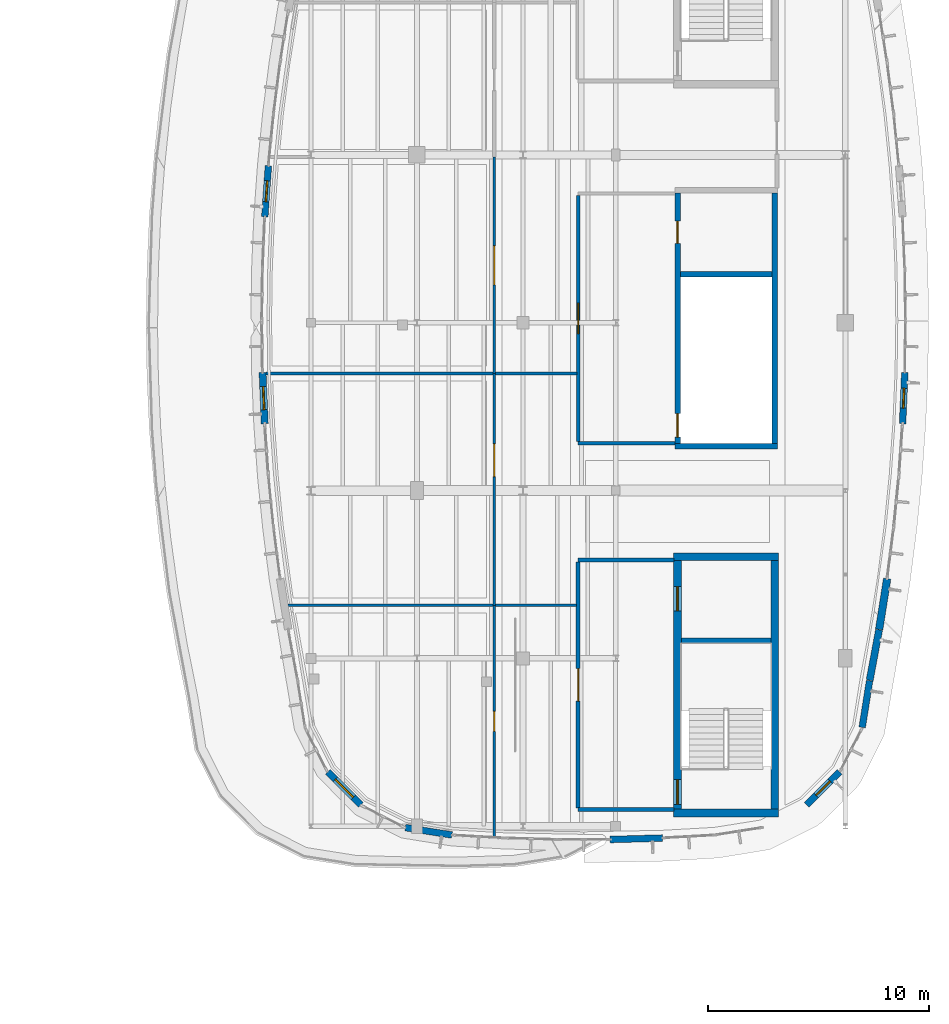
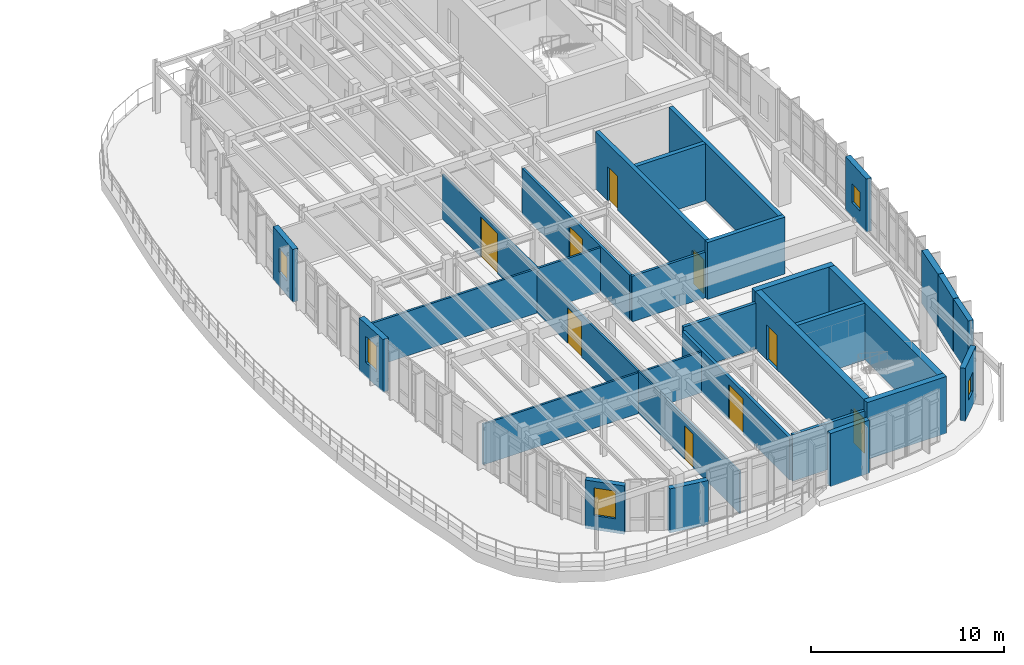
# One storey, part 23 of 30: 29 walls, 9 doors, 5 windows, 14 openings.
"""IFC4 building model written with IfcOpenShell, lengths in metres."""

from ifc_helpers import new_model, si_unit, direction, frame, frame_2d, origin, place, context, subcontext, project, spatial, rectangle, extrude, material, layer, layer_set, type_object, element, fill, save


model = new_model("IFC4")

# Units and contexts
model_context = context("Model", 3, precision=1e-05, world=origin(), true_north=direction((0.0, 1.0)))
body_context = subcontext(model_context, "Body", "Model", "MODEL_VIEW")
ifc_project = project(units=[si_unit("LENGTHUNIT", "METRE"), si_unit("AREAUNIT", "SQUARE_METRE"), si_unit("VOLUMEUNIT", "CUBIC_METRE"), si_unit("PLANEANGLEUNIT", "RADIAN"), si_unit("MASSUNIT", "GRAM", prefix="KILO")], contexts=[model_context])

# Site, building, storey
site_placement = place(None, origin())
site = spatial("IfcSite", under=ifc_project, at=site_placement, CompositionType="ELEMENT")
building_placement = place(site_placement, origin())
building = spatial("IfcBuilding", under=site, at=building_placement, Name="Corveleigh Park Community Centre", CompositionType="ELEMENT")
storey_placement = place(building_placement, frame((0.0, 0.0, 12.60009765625)))
storey = spatial("IfcBuildingStorey", under=building, at=storey_placement, Name="L03", CompositionType="ELEMENT", Elevation=12.60009765625)

# Wall
ifc_material_1 = material(Name="Precast concrete C40/50", Category="concrete")
ifc_layer_1 = layer(ifc_material_1, 0.300048828125, Name="Precast concrete C40/50", Category="concrete")
ifc_layer_set_1 = layer_set([ifc_layer_1], Name="Precast concrete C40/50")
wall_type_1 = type_object("IfcWallType", Name="WL-EXT-300", PredefinedType="STANDARD", material=ifc_layer_set_1)
wall_1_placement = place(storey_placement, frame((160.113037109375, 58.06494140625, 0.0), z_axis=(0.0, 0.0, 1.0), x_axis=(-0.999587779094, -0.028710135612, 0.0)))
element("IfcWall", 1, at=wall_1_placement, inside=storey, type_object=wall_type_1, Name="V4 L03 Precast Facade Wall", PredefinedType="STANDARD", context=body_context, shape_type="SweptSolid", body=[
    extrude(rectangle(XDim=2.364013671875, YDim=0.300048828125, at=frame_2d((1.18212890625, 0.0))), origin(), (0.0, 0.0, 1.0), 3.35693359375),
])

# Wall, opening, window
wall_2_placement = place(storey_placement, frame((168.135986328125, 61.05908203125, 0.0), z_axis=(0.0, 0.0, 1.0), x_axis=(-0.707049041687, -0.707164515971, 0.0)))
wall_2 = element("IfcWall", 2, at=wall_2_placement, inside=storey, type_object=wall_type_1, Name="V4 L03 Precast Facade Wall", PredefinedType="STANDARD", context=body_context, shape_type="SweptSolid", body=[
    extrude(rectangle(XDim=2.1142578125, YDim=0.300048828125, at=frame_2d((1.05712890625, 0.0))), origin(), (0.0, 0.0, 1.0), 3.35693359375),
])
opening_1_placement = place(wall_2_placement, frame((0.60693359375, 0.0, 0.89990234375)))
opening_1 = element("IfcOpeningElement", 3, at=opening_1_placement, cuts=wall_2, Name="Opening W01", PredefinedType="OPENING", context=body_context, shape_type="SweptSolid", body=[
    extrude(rectangle(XDim=0.89990234375, YDim=1.199951171875, at=frame_2d((0.449951171875, 0.60009765625))), frame((0.0, 0.159912109375, 0.0), z_axis=(0.0, -1.0, 0.0), x_axis=(1.0, 0.0, 0.0)), (0.0, 0.0, 1.0), 0.320068359375),
])
ifc_material_2 = material(Name="Low-E double glazing", Category="glass")
window_type_1 = type_object("IfcWindowType", Name="WIN-EXT-0900x1200", PartitioningType="SINGLE_PANEL", PredefinedType="WINDOW", material=ifc_material_2)
window_1_placement = place(opening_1_placement, origin())
window_1 = element("IfcWindow", 4, at=window_1_placement, inside=storey, type_object=window_type_1, Name="V4 L03 Window 70", OverallHeight=1.199951171875, OverallWidth=0.89990234375, PartitioningType="SINGLE_PANEL", PredefinedType="WINDOW", context=body_context, shape_type="SweptSolid", body=[
    extrude(rectangle(XDim=0.89990234375, YDim=1.199951171875, at=frame_2d((0.449951171875, 0.60009765625))), frame((0.0, 0.030029296875, 0.0), z_axis=(0.0, -1.0, 0.0), x_axis=(1.0, 0.0, 0.0)), (0.0, 0.0, 1.0), 0.06005859375),
])
fill(opening_1, window_1)

# Wall
wall_3_placement = place(storey_placement, frame((169.4990234375, 65.19091796875, 0.0), z_axis=(0.0, 0.0, 1.0), x_axis=(-0.156799301967, -0.987630487026, 0.0)))
element("IfcWall", 5, at=wall_3_placement, inside=storey, type_object=wall_type_1, Name="V4 L03 Precast Facade Wall", PredefinedType="STANDARD", context=body_context, shape_type="SweptSolid", body=[
    extrude(rectangle(XDim=2.142578125, YDim=0.300048828125, at=frame_2d((1.0712890625, 0.0))), origin(), (0.0, 0.0, 1.0), 3.35693359375),
])

# Wall, opening, window
wall_4_placement = place(storey_placement, frame((171.092041015625, 79.14697265625, 0.0), z_axis=(0.0, 0.0, 1.0), x_axis=(-0.043049910497, -0.999072922867, 0.0)))
wall_4 = element("IfcWall", 6, at=wall_4_placement, inside=storey, type_object=wall_type_1, Name="V4 L03 Precast Facade Wall", PredefinedType="STANDARD", context=body_context, shape_type="SweptSolid", body=[
    extrude(rectangle(XDim=2.3251953125, YDim=0.300048828125, at=frame_2d((1.16259765625, 0.0))), origin(), (0.0, 0.0, 1.0), 3.35693359375),
])
opening_2_placement = place(wall_4_placement, frame((0.712890625, 0.0, 0.89990234375)))
opening_2 = element("IfcOpeningElement", 7, at=opening_2_placement, cuts=wall_4, Name="Opening W01", PredefinedType="OPENING", context=body_context, shape_type="SweptSolid", body=[
    extrude(rectangle(XDim=0.89990234375, YDim=1.199951171875, at=frame_2d((0.449951171875, 0.60009765625))), frame((0.0, 0.159912109375, 0.0), z_axis=(0.0, -1.0, 0.0), x_axis=(1.0, 0.0, 0.0)), (0.0, 0.0, 1.0), 0.320068359375),
])
window_2_placement = place(opening_2_placement, origin())
window_2 = element("IfcWindow", 8, at=window_2_placement, inside=storey, type_object=window_type_1, Name="V4 L03 Window 71", OverallHeight=1.199951171875, OverallWidth=0.89990234375, PartitioningType="SINGLE_PANEL", PredefinedType="WINDOW", context=body_context, shape_type="SweptSolid", body=[
    extrude(rectangle(XDim=0.89990234375, YDim=1.199951171875, at=frame_2d((0.449951171875, 0.60009765625))), frame((0.0, 0.030029296875, 0.0), z_axis=(0.0, -1.0, 0.0), x_axis=(1.0, 0.0, 0.0)), (0.0, 0.0, 1.0), 0.06005859375),
])
fill(opening_2, window_2)

wall_5_placement = place(storey_placement, frame((142.10888671875, 86.194091796875, 0.0), z_axis=(0.0, 0.0, 1.0), x_axis=(0.070545752689, 0.997508544714, 0.0)))
wall_5 = element("IfcWall", 9, at=wall_5_placement, inside=storey, type_object=wall_type_1, Name="V4 L03 Precast Facade Wall", PredefinedType="STANDARD", context=body_context, shape_type="SweptSolid", body=[
    extrude(rectangle(XDim=2.32568359375, YDim=0.300048828125, at=frame_2d((1.162841796875, 0.0))), origin(), (0.0, 0.0, 1.0), 3.3369140625),
])
opening_3_placement = place(wall_5_placement, frame((0.68798828125, 0.0, 0.89990234375)))
opening_3 = element("IfcOpeningElement", 10, at=opening_3_placement, cuts=wall_5, Name="Opening W02", PredefinedType="OPENING", context=body_context, shape_type="SweptSolid", body=[
    extrude(rectangle(XDim=0.949951171875, YDim=1.5, at=frame_2d((0.47509765625, 0.75))), frame((0.0, 0.159912109375, 0.0), z_axis=(0.0, -1.0, 0.0), x_axis=(1.0, 0.0, 0.0)), (0.0, 0.0, 1.0), 0.320068359375),
])
window_type_2 = type_object("IfcWindowType", Name="WIN-EXT-0950x1500", PartitioningType="SINGLE_PANEL", PredefinedType="WINDOW", material=ifc_material_2)
window_3_placement = place(opening_3_placement, origin())
window_3 = element("IfcWindow", 11, at=window_3_placement, inside=storey, type_object=window_type_2, Name="V4 L03 Window 74", OverallHeight=1.5, OverallWidth=0.949951171875, PartitioningType="SINGLE_PANEL", PredefinedType="WINDOW", context=body_context, shape_type="SweptSolid", body=[
    extrude(rectangle(XDim=0.949951171875, YDim=1.5, at=frame_2d((0.47509765625, 0.75))), frame((0.0, 0.030029296875, 0.0), z_axis=(0.0, -1.0, 0.0), x_axis=(1.0, 0.0, 0.0)), (0.0, 0.0, 1.0), 0.06005859375),
])
fill(opening_3, window_3)

wall_6_placement = place(storey_placement, frame((146.458984375, 59.56396484375, 0.0), z_axis=(0.0, 0.0, 1.0), x_axis=(-0.707049041687, 0.707164515971, 0.0)))
wall_6 = element("IfcWall", 12, at=wall_6_placement, inside=storey, type_object=wall_type_1, Name="V4 L03 Precast Facade Wall", PredefinedType="STANDARD", context=body_context, shape_type="SweptSolid", body=[
    extrude(rectangle(XDim=2.1142578125, YDim=0.300048828125, at=frame_2d((1.05712890625, 0.0))), origin(), (0.0, 0.0, 1.0), 3.06494140625),
])
opening_4_placement = place(wall_6_placement, frame((0.48193359375, 0.0, 0.89990234375)))
opening_4 = element("IfcOpeningElement", 13, at=opening_4_placement, cuts=wall_6, Name="Opening W04", PredefinedType="OPENING", context=body_context, shape_type="SweptSolid", body=[
    extrude(rectangle(XDim=1.14990234375, YDim=1.75, at=frame_2d((0.574951171875, 0.875))), frame((0.0, 0.159912109375, 0.0), z_axis=(0.0, -1.0, 0.0), x_axis=(1.0, 0.0, 0.0)), (0.0, 0.0, 1.0), 0.320068359375),
])
window_type_3 = type_object("IfcWindowType", Name="WIN-EXT-1150x1750", PartitioningType="SINGLE_PANEL", PredefinedType="WINDOW", material=ifc_material_2)
window_4_placement = place(opening_4_placement, origin())
window_4 = element("IfcWindow", 14, at=window_4_placement, inside=storey, type_object=window_type_3, Name="V4 L03 Window 76", OverallHeight=1.75, OverallWidth=1.14990234375, PartitioningType="SINGLE_PANEL", PredefinedType="WINDOW", context=body_context, shape_type="SweptSolid", body=[
    extrude(rectangle(XDim=1.14990234375, YDim=1.75, at=frame_2d((0.574951171875, 0.875))), frame((0.0, 0.030029296875, 0.0), z_axis=(0.0, -1.0, 0.0), x_axis=(1.0, 0.0, 0.0)), (0.0, 0.0, 1.0), 0.06005859375),
])
fill(opening_4, window_4)

# Walls
wall_7_placement = place(storey_placement, frame((150.583984375, 58.202880859375, 0.0), z_axis=(0.0, 0.0, 1.0), x_axis=(-0.987672873908, 0.156532086638, 0.0)))
element("IfcWall", 15, at=wall_7_placement, inside=storey, type_object=wall_type_1, Name="V4 L03 Precast Facade Wall", PredefinedType="STANDARD", context=body_context, shape_type="SweptSolid", body=[
    extrude(rectangle(XDim=2.13525390625, YDim=0.300048828125, at=frame_2d((1.067626953125, 0.0))), origin(), (0.0, 0.0, 1.0), 2.7919921875),
])
ifc_layer_2 = layer(ifc_material_1, 0.320068359375, Name="Precast concrete C40/50", Category="concrete")
ifc_layer_set_2 = layer_set([ifc_layer_2], Name="Precast concrete C40/50")
wall_type_2 = type_object("IfcWallType", Name="WL-EXT-320", PredefinedType="STANDARD", material=ifc_layer_set_2)
wall_8_placement = place(storey_placement, frame((169.927978515625, 67.4951171875, 0.0), z_axis=(0.0, 0.0, 1.0), x_axis=(-0.183198166271, -0.983076005136, 0.0)))
element("IfcWall", 16, at=wall_8_placement, inside=storey, type_object=wall_type_2, Name="V4 L03 Precast Facade Wall", PredefinedType="STANDARD", context=body_context, shape_type="SweptSolid", body=[
    extrude(rectangle(XDim=2.325439453125, YDim=0.320068359375, at=frame_2d((1.16259765625, 0.0))), origin(), (0.0, 0.0, 1.0), 3.35693359375),
])

# Wall, opening, window
wall_9_placement = place(storey_placement, frame((142.10791015625, 76.823974609375, 0.0), z_axis=(0.0, 0.0, 1.0), x_axis=(-0.0429451046, 0.999077433431, 0.0)))
wall_9 = element("IfcWall", 17, at=wall_9_placement, inside=storey, type_object=wall_type_2, Name="V4 L03 Precast Facade Wall", PredefinedType="STANDARD", context=body_context, shape_type="SweptSolid", body=[
    extrude(rectangle(XDim=2.3251953125, YDim=0.320068359375, at=frame_2d((1.16259765625, 0.0))), origin(), (0.0, 0.0, 1.0), 3.3369140625),
])
opening_5_placement = place(wall_9_placement, frame((0.637939453125, 0.0, 0.89990234375)))
opening_5 = element("IfcOpeningElement", 18, at=opening_5_placement, cuts=wall_9, Name="Opening W03", PredefinedType="OPENING", context=body_context, shape_type="SweptSolid", body=[
    extrude(rectangle(XDim=1.050048828125, YDim=1.64990234375, at=frame_2d((0.52490234375, 0.824951171875))), frame((0.0, 0.169921875, 0.0), z_axis=(0.0, -1.0, 0.0), x_axis=(1.0, 0.0, 0.0)), (0.0, 0.0, 1.0), 0.340087890625),
])
window_type_4 = type_object("IfcWindowType", Name="WIN-EXT-1050x1650", PartitioningType="SINGLE_PANEL", PredefinedType="WINDOW", material=ifc_material_2)
window_5_placement = place(opening_5_placement, origin())
window_5 = element("IfcWindow", 19, at=window_5_placement, inside=storey, type_object=window_type_4, Name="V4 L03 Window 75", OverallHeight=1.64990234375, OverallWidth=1.050048828125, PartitioningType="SINGLE_PANEL", PredefinedType="WINDOW", context=body_context, shape_type="SweptSolid", body=[
    extrude(rectangle(XDim=1.050048828125, YDim=1.64990234375, at=frame_2d((0.52490234375, 0.824951171875))), frame((0.0, 0.030029296875, 0.0), z_axis=(0.0, -1.0, 0.0), x_axis=(1.0, 0.0, 0.0)), (0.0, 0.0, 1.0), 0.06005859375),
])
fill(opening_5, window_5)

# Wall
ifc_layer_3 = layer(ifc_material_1, 0.340087890625, Name="Precast concrete C40/50", Category="concrete")
ifc_layer_set_3 = layer_set([ifc_layer_3], Name="Precast concrete C40/50")
wall_type_3 = type_object("IfcWallType", Name="WL-EXT-340", PredefinedType="STANDARD", material=ifc_layer_set_3)
wall_10_placement = place(storey_placement, frame((170.2939453125, 69.81005859375, 0.0), z_axis=(0.0, 0.0, 1.0), x_axis=(-0.15610273212, -0.987740824824, 0.0)))
element("IfcWall", 20, at=wall_10_placement, inside=storey, type_object=wall_type_3, Name="V4 L03 Precast Facade Wall", PredefinedType="STANDARD", context=body_context, shape_type="SweptSolid", body=[
    extrude(rectangle(XDim=2.32568359375, YDim=0.340087890625, at=frame_2d((1.162841796875, 0.0))), origin(), (0.0, 0.0, 1.0), 3.35693359375),
])

# Wall, opening, door
ifc_material_3 = material(Name="Gypsum acoustic stud partition", Category="gypsum")
ifc_layer_4 = layer(ifc_material_3, 0.10009765625, Name="Gypsum acoustic stud partition", Category="gypsum")
ifc_layer_set_4 = layer_set([ifc_layer_4], Name="Gypsum acoustic stud partition")
wall_type_4 = type_object("IfcWallType", Name="WL-PRT-100", PredefinedType="PARTITIONING", material=ifc_layer_set_4)
wall_11_placement = place(storey_placement, frame((152.5, 68.60009765625, 0.0), z_axis=(0.0, 0.0, 1.0), x_axis=(0.0, -1.0, 0.0)))
wall_11 = element("IfcWall", 21, at=wall_11_placement, inside=storey, type_object=wall_type_4, Name="Quiet Study Library corridor wall", PredefinedType="PARTITIONING", context=body_context, shape_type="SweptSolid", body=[
    extrude(rectangle(XDim=10.507080078125, YDim=0.10009765625, at=frame_2d((5.25341796875, 0.0))), origin(), (0.0, 0.0, 1.0), 2.661865234375),
])
opening_6_placement = place(wall_11_placement, frame((4.798095703125, 0.0, 0.0)))
opening_6 = element("IfcOpeningElement", 22, at=opening_6_placement, cuts=wall_11, Name="Opening ID03", PredefinedType="OPENING", context=body_context, shape_type="SweptSolid", body=[
    extrude(rectangle(XDim=0.909912109375, YDim=2.10009765625, at=frame_2d((0.455078125, 1.050048828125))), frame((0.0, 0.06005859375, 0.0), z_axis=(0.0, -1.0, 0.0), x_axis=(1.0, 0.0, 0.0)), (0.0, 0.0, 1.0), 0.1201171875),
])
ifc_material_4 = material(Name="Hardwood acoustic door leaf", Category="wood")
door_type_1 = type_object("IfcDoorType", Name="DR-INT-0910x2100", OperationType="NOTDEFINED", PredefinedType="DOOR", material=ifc_material_4)
door_1_placement = place(opening_6_placement, origin())
door_1 = element("IfcDoor", 23, at=door_1_placement, inside=storey, type_object=door_type_1, Name="Quiet Study Library door", OperationType="SINGLE_SWING_LEFT", OverallHeight=2.10009765625, OverallWidth=0.909912109375, PredefinedType="DOOR", context=body_context, shape_type="SweptSolid", body=[
    extrude(rectangle(XDim=0.909912109375, YDim=2.10009765625, at=frame_2d((0.455078125, 1.050048828125))), frame((0.0, 0.02490234375, 0.0), z_axis=(0.0, -1.0, 0.0), x_axis=(1.0, 0.0, 0.0)), (0.0, 0.0, 1.0), 0.050048828125),
])
fill(opening_6, door_1)

ifc_layer_5 = layer(ifc_material_3, 0.114990234375, Name="Gypsum acoustic stud partition", Category="gypsum")
ifc_layer_set_5 = layer_set([ifc_layer_5], Name="Gypsum acoustic stud partition")
wall_type_5 = type_object("IfcWallType", Name="WL-PRT-115", PredefinedType="PARTITIONING", material=ifc_layer_set_5)
wall_12_placement = place(storey_placement, frame((152.5, 79.10009765625, 0.0), z_axis=(0.0, 0.0, 1.0), x_axis=(0.0, -1.0, 0.0)))
wall_12 = element("IfcWall", 24, at=wall_12_placement, inside=storey, type_object=wall_type_5, Name="Ceramics and Pottery Studio corridor wall", PredefinedType="PARTITIONING", context=body_context, shape_type="SweptSolid", body=[
    extrude(rectangle(XDim=10.5, YDim=0.114990234375, at=frame_2d((5.25, 0.0))), origin(), (0.0, 0.0, 1.0), 2.64501953125),
])
opening_7_placement = place(wall_12_placement, frame((3.18994140625, 0.0, 0.0)))
opening_7 = element("IfcOpeningElement", 25, at=opening_7_placement, cuts=wall_12, Name="Opening FD01", PredefinedType="OPENING", context=body_context, shape_type="SweptSolid", body=[
    extrude(rectangle(XDim=1.47998046875, YDim=2.219970703125, at=frame_2d((0.739990234375, 1.10986328125))), frame((0.0, 0.0673828125, 0.0), z_axis=(0.0, -1.0, 0.0), x_axis=(1.0, 0.0, 0.0)), (0.0, 0.0, 1.0), 0.135009765625),
])
door_type_2 = type_object("IfcDoorType", Name="DR-FIR-1480x2220", OperationType="DOUBLE_DOOR_SINGLE_SWING", PredefinedType="DOOR", material=ifc_material_4)
door_2_placement = place(opening_7_placement, origin())
door_2 = element("IfcDoor", 26, at=door_2_placement, inside=storey, type_object=door_type_2, Name="Ceramics and Pottery Studio door", OperationType="DOUBLE_DOOR_SINGLE_SWING", OverallHeight=2.219970703125, OverallWidth=1.47998046875, PredefinedType="DOOR", context=body_context, shape_type="SweptSolid", body=[
    extrude(rectangle(XDim=1.47998046875, YDim=2.219970703125, at=frame_2d((0.739990234375, 1.10986328125))), frame((0.0, 0.02490234375, 0.0), z_axis=(0.0, -1.0, 0.0), x_axis=(1.0, 0.0, 0.0)), (0.0, 0.0, 1.0), 0.050048828125),
])
fill(opening_7, door_2)

# Wall
wall_13_placement = place(storey_placement, frame((143.156982421875, 68.60009765625, 0.0), z_axis=(0.0, 0.0, 1.0), x_axis=(1.0, 0.0, 0.0)))
element("IfcWall", 27, at=wall_13_placement, inside=storey, type_object=wall_type_5, Name="Quiet Study Library partition", PredefinedType="PARTITIONING", context=body_context, shape_type="SweptSolid", body=[
    extrude(rectangle(XDim=13.06494140625, YDim=0.114990234375, at=frame_2d((6.532470703125, 0.0))), origin(), (0.0, 0.0, 1.0), 2.5830078125),
])

# Wall, opening, door
ifc_layer_6 = layer(ifc_material_3, 0.125, Name="Gypsum acoustic stud partition", Category="gypsum")
ifc_layer_set_6 = layer_set([ifc_layer_6], Name="Gypsum acoustic stud partition")
wall_type_6 = type_object("IfcWallType", Name="WL-PRT-125", PredefinedType="PARTITIONING", material=ifc_layer_set_6)
wall_14_placement = place(storey_placement, frame((152.5, 88.89990234375, 0.0), z_axis=(0.0, 0.0, 1.0), x_axis=(0.0, -1.0, 0.0)))
wall_14 = element("IfcWall", 28, at=wall_14_placement, inside=storey, type_object=wall_type_6, Name="Textiles and Sewing Classroom corridor wall", PredefinedType="PARTITIONING", context=body_context, shape_type="SweptSolid", body=[
    extrude(rectangle(XDim=9.7998046875, YDim=0.125, at=frame_2d((4.89990234375, 0.0))), origin(), (0.0, 0.0, 1.0), 2.794921875),
])
opening_8_placement = place(wall_14_placement, frame((4.02001953125, 0.0, 0.0)))
opening_8 = element("IfcOpeningElement", 29, at=opening_8_placement, cuts=wall_14, Name="Opening FD08", PredefinedType="OPENING", context=body_context, shape_type="SweptSolid", body=[
    extrude(rectangle(XDim=1.760009765625, YDim=2.52001953125, at=frame_2d((0.8798828125, 1.260009765625))), frame((0.0, 0.072509765625, 0.0), z_axis=(0.0, -1.0, 0.0), x_axis=(1.0, 0.0, 0.0)), (0.0, 0.0, 1.0), 0.14501953125),
])
door_type_3 = type_object("IfcDoorType", Name="DR-FIR-1760x2520", OperationType="DOUBLE_DOOR_SINGLE_SWING", PredefinedType="DOOR", material=ifc_material_4)
door_3_placement = place(opening_8_placement, origin())
door_3 = element("IfcDoor", 30, at=door_3_placement, inside=storey, type_object=door_type_3, Name="Textiles and Sewing Classroom door", OperationType="DOUBLE_DOOR_SINGLE_SWING", OverallHeight=2.52001953125, OverallWidth=1.760009765625, PredefinedType="DOOR", context=body_context, shape_type="SweptSolid", body=[
    extrude(rectangle(XDim=1.760009765625, YDim=2.52001953125, at=frame_2d((0.8798828125, 1.260009765625))), frame((0.0, 0.02490234375, 0.0), z_axis=(0.0, -1.0, 0.0), x_axis=(1.0, 0.0, 0.0)), (0.0, 0.0, 1.0), 0.050048828125),
])
fill(opening_8, door_3)

# Walls
wall_15_placement = place(storey_placement, frame((142.157958984375, 79.10009765625, 0.0), z_axis=(0.0, 0.0, 1.0), x_axis=(1.0, 0.0, 0.0)))
element("IfcWall", 31, at=wall_15_placement, inside=storey, type_object=wall_type_6, Name="Ceramics and Pottery Studio partition", PredefinedType="PARTITIONING", context=body_context, shape_type="SweptSolid", body=[
    extrude(rectangle(XDim=14.0791015625, YDim=0.125, at=frame_2d((7.03955078125, 0.0))), origin(), (0.0, 0.0, 1.0), 2.805908203125),
])
ifc_layer_7 = layer(ifc_material_3, 0.14990234375, Name="Gypsum acoustic stud partition", Category="gypsum")
ifc_layer_set_7 = layer_set([ifc_layer_7], Name="Gypsum acoustic stud partition")
wall_type_7 = type_object("IfcWallType", Name="WL-PRT-150", PredefinedType="PARTITIONING", material=ifc_layer_set_7)
wall_16_placement = place(storey_placement, frame((156.300048828125, 75.949951171875, 0.0), z_axis=(0.0, 0.0, 1.0), x_axis=(1.0, 0.0, 0.0)))
element("IfcWall", 32, at=wall_16_placement, inside=storey, type_object=wall_type_7, Name="CORE6 lobby south wall", PredefinedType="PARTITIONING", context=body_context, shape_type="SweptSolid", body=[
    extrude(rectangle(XDim=4.389892578125, YDim=0.14990234375, at=frame_2d((2.19482421875, 0.0))), origin(), (0.0, 0.0, 1.0), 2.887939453125),
])

# Wall, opening, door
wall_17_placement = place(storey_placement, frame((156.300048828125, 87.169921875, 0.0), z_axis=(0.0, 0.0, 1.0), x_axis=(0.0, -1.0, 0.0)))
wall_17 = element("IfcWall", 33, at=wall_17_placement, inside=storey, type_object=wall_type_7, Name="CORE6 lobby corridor wall", PredefinedType="PARTITIONING", context=body_context, shape_type="SweptSolid", body=[
    extrude(rectangle(XDim=11.139892578125, YDim=0.14990234375, at=frame_2d((5.56982421875, 0.0))), origin(), (0.0, 0.0, 1.0), 2.887939453125),
])
opening_9_placement = place(wall_17_placement, frame((4.8798828125, 0.0, 0.0)))
opening_9 = element("IfcOpeningElement", 34, at=opening_9_placement, cuts=wall_17, Name="Opening FD02", PredefinedType="OPENING", context=body_context, shape_type="SweptSolid", body=[
    extrude(rectangle(XDim=1.3798828125, YDim=2.199951171875, at=frame_2d((0.68994140625, 1.10009765625))), frame((0.0, 0.0849609375, 0.0), z_axis=(0.0, -1.0, 0.0), x_axis=(1.0, 0.0, 0.0)), (0.0, 0.0, 1.0), 0.169921875),
])
door_type_4 = type_object("IfcDoorType", Name="DR-FIR-1380x2200", OperationType="DOUBLE_DOOR_SINGLE_SWING", PredefinedType="DOOR", material=ifc_material_4)
door_4_placement = place(opening_9_placement, origin())
door_4 = element("IfcDoor", 35, at=door_4_placement, inside=storey, type_object=door_type_4, Name="Lobby CORE6 corridor door L03", OperationType="DOUBLE_DOOR_SINGLE_SWING", OverallHeight=2.199951171875, OverallWidth=1.3798828125, PredefinedType="DOOR", context=body_context, shape_type="SweptSolid", body=[
    extrude(rectangle(XDim=1.3798828125, YDim=2.199951171875, at=frame_2d((0.68994140625, 1.10009765625))), frame((0.0, 0.02490234375, 0.0), z_axis=(0.0, -1.0, 0.0), x_axis=(1.0, 0.0, 0.0)), (0.0, 0.0, 1.0), 0.050048828125),
])
fill(opening_9, door_4)

# Walls
ifc_layer_8 = layer(ifc_material_3, 0.179931640625, Name="Gypsum acoustic stud partition", Category="gypsum")
ifc_layer_set_8 = layer_set([ifc_layer_8], Name="Gypsum acoustic stud partition")
wall_type_8 = type_object("IfcWallType", Name="WL-PRT-180", PredefinedType="PARTITIONING", material=ifc_layer_set_8)
wall_18_placement = place(storey_placement, frame((156.300048828125, 59.35009765625, 0.0), z_axis=(0.0, 0.0, 1.0), x_axis=(1.0, 0.0, 0.0)))
element("IfcWall", 36, at=wall_18_placement, inside=storey, type_object=wall_type_8, Name="CORE1 lobby south wall", PredefinedType="PARTITIONING", context=body_context, shape_type="SweptSolid", body=[
    extrude(rectangle(XDim=4.33984375, YDim=0.179931640625, at=frame_2d((2.169921875, 0.0))), origin(), (0.0, 0.0, 1.0), 2.931884765625),
])
wall_19_placement = place(storey_placement, frame((160.639892578125, 70.64990234375, 0.0), z_axis=(0.0, 0.0, 1.0), x_axis=(-1.0, 0.0, 0.0)))
element("IfcWall", 37, at=wall_19_placement, inside=storey, type_object=wall_type_8, Name="CORE1 lobby north wall", PredefinedType="PARTITIONING", context=body_context, shape_type="SweptSolid", body=[
    extrude(rectangle(XDim=4.33984375, YDim=0.179931640625, at=frame_2d((2.169921875, 0.0))), origin(), (0.0, 0.0, 1.0), 2.891845703125),
])

# Wall, opening, door
wall_20_placement = place(storey_placement, frame((156.300048828125, 70.570068359375, 0.0), z_axis=(0.0, 0.0, 1.0), x_axis=(0.0, -1.0, 0.0)))
wall_20 = element("IfcWall", 38, at=wall_20_placement, inside=storey, type_object=wall_type_8, Name="CORE1 lobby corridor wall", PredefinedType="PARTITIONING", context=body_context, shape_type="SweptSolid", body=[
    extrude(rectangle(XDim=11.14013671875, YDim=0.179931640625, at=frame_2d((5.570068359375, 0.0))), origin(), (0.0, 0.0, 1.0), 2.657958984375),
])
opening_10_placement = place(wall_20_placement, frame((4.830078125, 0.0, 0.0)))
opening_10 = element("IfcOpeningElement", 39, at=opening_10_placement, cuts=wall_20, Name="Opening FD01", PredefinedType="OPENING", context=body_context, shape_type="SweptSolid", body=[
    extrude(rectangle(XDim=1.47998046875, YDim=2.219970703125, at=frame_2d((0.739990234375, 1.10986328125))), frame((0.0, 0.099853515625, 0.0), z_axis=(0.0, -1.0, 0.0), x_axis=(1.0, 0.0, 0.0)), (0.0, 0.0, 1.0), 0.199951171875),
])
door_5_placement = place(opening_10_placement, origin())
door_5 = element("IfcDoor", 40, at=door_5_placement, inside=storey, type_object=door_type_2, Name="Lobby CORE1 corridor door L03", OperationType="DOUBLE_DOOR_SINGLE_SWING", OverallHeight=2.219970703125, OverallWidth=1.47998046875, PredefinedType="DOOR", context=body_context, shape_type="SweptSolid", body=[
    extrude(rectangle(XDim=1.47998046875, YDim=2.219970703125, at=frame_2d((0.739990234375, 1.10986328125))), frame((0.0, 0.02490234375, 0.0), z_axis=(0.0, -1.0, 0.0), x_axis=(1.0, 0.0, 0.0)), (0.0, 0.0, 1.0), 0.050048828125),
])
fill(opening_10, door_5)

# Walls
ifc_material_5 = material(Name="Concrete C40/50", Category="concrete")
ifc_layer_9 = layer(ifc_material_5, 0.25, Name="Concrete C40/50", Category="concrete")
ifc_layer_set_9 = layer_set([ifc_layer_9], Name="Concrete C40/50")
wall_type_9 = type_object("IfcWallType", Name="WL-SHR-250", PredefinedType="SHEAR", material=ifc_layer_set_9)
wall_21_placement = place(storey_placement, frame((160.97509765625, 67.0, 0.0), z_axis=(0.0, 0.0, 1.0), x_axis=(1.0, 0.0, 0.0)))
element("IfcWall", 41, at=wall_21_placement, inside=storey, type_object=wall_type_9, Name="CORE1 shaft wall", PredefinedType="SHEAR", context=body_context, shape_type="SweptSolid", body=[
    extrude(rectangle(XDim=4.0498046875, YDim=0.25, at=frame_2d((2.02490234375, 0.0))), origin(), (0.0, 0.0, 1.0), 3.599853515625),
])
wall_22_placement = place(storey_placement, frame((160.675048828125, 75.800048828125, 0.0), z_axis=(0.0, 0.0, 1.0), x_axis=(1.0, 0.0, 0.0)))
element("IfcWall", 42, at=wall_22_placement, inside=storey, type_object=wall_type_9, Name="CORE6 south shear wall", PredefinedType="SHEAR", context=body_context, shape_type="SweptSolid", body=[
    extrude(rectangle(XDim=4.64990234375, YDim=0.25, at=frame_2d((2.324951171875, 0.0))), origin(), (0.0, 0.0, 1.0), 3.599853515625),
])
wall_23_placement = place(storey_placement, frame((165.199951171875, 75.925048828125, 0.0), z_axis=(0.0, 0.0, 1.0), x_axis=(0.0, 1.0, 0.0)))
element("IfcWall", 43, at=wall_23_placement, inside=storey, type_object=wall_type_9, Name="CORE6 east shear wall", PredefinedType="SHEAR", context=body_context, shape_type="SweptSolid", body=[
    extrude(rectangle(XDim=11.349853515625, YDim=0.25, at=frame_2d((5.6748046875, 0.0))), origin(), (0.0, 0.0, 1.0), 3.599853515625),
])

# Wall, openings, doors
wall_24_placement = place(storey_placement, frame((160.800048828125, 87.27490234375, 0.0), z_axis=(0.0, 0.0, 1.0), x_axis=(0.0, -1.0, 0.0)))
wall_24 = element("IfcWall", 44, at=wall_24_placement, inside=storey, type_object=wall_type_9, Name="CORE6 west lobby wall", PredefinedType="SHEAR", context=body_context, shape_type="SweptSolid", body=[
    extrude(rectangle(XDim=11.349853515625, YDim=0.25, at=frame_2d((5.6748046875, 0.0))), origin(), (0.0, 0.0, 1.0), 3.599853515625),
])
opening_11_placement = place(wall_24_placement, frame((1.27490234375, 0.0, 0.0)))
opening_11 = element("IfcOpeningElement", 45, at=opening_11_placement, cuts=wall_24, Name="Opening LD02", PredefinedType="OPENING", context=body_context, shape_type="SweptSolid", body=[
    extrude(rectangle(XDim=1.0, YDim=2.14990234375, at=frame_2d((0.5, 1.074951171875))), frame((0.0, 0.135009765625, 0.0), z_axis=(0.0, -1.0, 0.0), x_axis=(1.0, 0.0, 0.0)), (0.0, 0.0, 1.0), 0.27001953125),
])
opening_12_placement = place(wall_24_placement, frame((9.9951171875, 0.0, 0.0)))
opening_12 = element("IfcOpeningElement", 46, at=opening_12_placement, cuts=wall_24, Name="Opening FD04", PredefinedType="OPENING", context=body_context, shape_type="SweptSolid", body=[
    extrude(rectangle(XDim=1.06005859375, YDim=2.14990234375, at=frame_2d((0.530029296875, 1.074951171875))), frame((0.0, 0.135009765625, 0.0), z_axis=(0.0, -1.0, 0.0), x_axis=(1.0, 0.0, 0.0)), (0.0, 0.0, 1.0), 0.27001953125),
])
door_type_5 = type_object("IfcDoorType", Name="DR-FIR-1060x2150", OperationType="NOTDEFINED", PredefinedType="DOOR", material=ifc_material_4)
door_6_placement = place(opening_12_placement, origin())
door_6 = element("IfcDoor", 47, at=door_6_placement, inside=storey, type_object=door_type_5, Name="Stair ST6 fire door L03", OperationType="SINGLE_SWING_LEFT", OverallHeight=2.14990234375, OverallWidth=1.06005859375, PredefinedType="DOOR", context=body_context, shape_type="SweptSolid", body=[
    extrude(rectangle(XDim=1.06005859375, YDim=2.14990234375, at=frame_2d((0.530029296875, 1.074951171875))), frame((0.0, 0.02490234375, 0.0), z_axis=(0.0, -1.0, 0.0), x_axis=(1.0, 0.0, 0.0)), (0.0, 0.0, 1.0), 0.050048828125),
])
fill(opening_12, door_6)
ifc_material_6 = material(Name="Brushed stainless steel lift car", Category="steel")
door_type_6 = type_object("IfcDoorType", Name="DR-LFT-1000x2150", OperationType="SLIDING_TO_LEFT", PredefinedType="DOOR", material=ifc_material_6)
door_7_placement = place(opening_11_placement, origin())
door_7 = element("IfcDoor", 48, at=door_7_placement, inside=storey, type_object=door_type_6, Name="Lift PL2 landing door L03", OperationType="SLIDING_TO_LEFT", OverallHeight=2.14990234375, OverallWidth=1.0, PredefinedType="DOOR", context=body_context, shape_type="SweptSolid", body=[
    extrude(rectangle(XDim=1.0, YDim=2.14990234375, at=frame_2d((0.5, 1.074951171875))), frame((0.0, 0.02490234375, 0.0), z_axis=(0.0, -1.0, 0.0), x_axis=(1.0, 0.0, 0.0)), (0.0, 0.0, 1.0), 0.050048828125),
])
fill(opening_11, door_7)

# Walls
wall_25_placement = place(storey_placement, frame((160.925048828125, 83.60009765625, 0.0), z_axis=(0.0, 0.0, 1.0), x_axis=(1.0, 0.0, 0.0)))
element("IfcWall", 49, at=wall_25_placement, inside=storey, type_object=wall_type_9, Name="CORE6 shaft wall", PredefinedType="SHEAR", context=body_context, shape_type="SweptSolid", body=[
    extrude(rectangle(XDim=4.14990234375, YDim=0.25, at=frame_2d((2.074951171875, 0.0))), origin(), (0.0, 0.0, 1.0), 3.599853515625),
])
ifc_layer_10 = layer(ifc_material_5, 0.35009765625, Name="Concrete C40/50", Category="concrete")
ifc_layer_set_10 = layer_set([ifc_layer_10], Name="Concrete C40/50")
wall_type_10 = type_object("IfcWallType", Name="WL-SHR-350", PredefinedType="SHEAR", material=ifc_layer_set_10)
wall_26_placement = place(storey_placement, frame((160.625, 59.199951171875, 0.0), z_axis=(0.0, 0.0, 1.0), x_axis=(1.0, 0.0, 0.0)))
element("IfcWall", 50, at=wall_26_placement, inside=storey, type_object=wall_type_10, Name="CORE1 south shear wall", PredefinedType="SHEAR", context=body_context, shape_type="SweptSolid", body=[
    extrude(rectangle(XDim=4.75, YDim=0.35009765625, at=frame_2d((2.375, 0.0))), origin(), (0.0, 0.0, 1.0), 3.599853515625),
])
wall_27_placement = place(storey_placement, frame((165.199951171875, 59.375, 0.0), z_axis=(0.0, 0.0, 1.0), x_axis=(0.0, 1.0, 0.0)))
element("IfcWall", 51, at=wall_27_placement, inside=storey, type_object=wall_type_10, Name="CORE1 east shear wall", PredefinedType="SHEAR", context=body_context, shape_type="SweptSolid", body=[
    extrude(rectangle(XDim=11.25, YDim=0.35009765625, at=frame_2d((5.625, 0.0))), origin(), (0.0, 0.0, 1.0), 3.599853515625),
])
wall_28_placement = place(storey_placement, frame((165.375, 70.800048828125, 0.0), z_axis=(0.0, 0.0, 1.0), x_axis=(-1.0, 0.0, 0.0)))
element("IfcWall", 52, at=wall_28_placement, inside=storey, type_object=wall_type_10, Name="CORE1 north shear wall", PredefinedType="SHEAR", context=body_context, shape_type="SweptSolid", body=[
    extrude(rectangle(XDim=4.75, YDim=0.35009765625, at=frame_2d((2.375, 0.0))), origin(), (0.0, 0.0, 1.0), 3.599853515625),
])

# Wall, openings, doors
wall_29_placement = place(storey_placement, frame((160.800048828125, 70.625, 0.0), z_axis=(0.0, 0.0, 1.0), x_axis=(0.0, -1.0, 0.0)))
wall_29 = element("IfcWall", 53, at=wall_29_placement, inside=storey, type_object=wall_type_10, Name="CORE1 west lobby wall", PredefinedType="SHEAR", context=body_context, shape_type="SweptSolid", body=[
    extrude(rectangle(XDim=11.25, YDim=0.35009765625, at=frame_2d((5.625, 0.0))), origin(), (0.0, 0.0, 1.0), 3.599853515625),
])
opening_13_placement = place(wall_29_placement, frame((1.175048828125, 0.0, 0.0)))
opening_13 = element("IfcOpeningElement", 54, at=opening_13_placement, cuts=wall_29, Name="Opening LD01", PredefinedType="OPENING", context=body_context, shape_type="SweptSolid", body=[
    extrude(rectangle(XDim=1.10009765625, YDim=2.199951171875, at=frame_2d((0.550048828125, 1.10009765625))), frame((0.0, 0.18505859375, 0.0), z_axis=(0.0, -1.0, 0.0), x_axis=(1.0, 0.0, 0.0)), (0.0, 0.0, 1.0), 0.3701171875),
])
opening_14_placement = place(wall_29_placement, frame((9.9150390625, 0.0, 0.0)))
opening_14 = element("IfcOpeningElement", 55, at=opening_14_placement, cuts=wall_29, Name="Opening FD03", PredefinedType="OPENING", context=body_context, shape_type="SweptSolid", body=[
    extrude(rectangle(XDim=1.1201171875, YDim=2.159912109375, at=frame_2d((0.56005859375, 1.080078125))), frame((0.0, 0.18505859375, 0.0), z_axis=(0.0, -1.0, 0.0), x_axis=(1.0, 0.0, 0.0)), (0.0, 0.0, 1.0), 0.3701171875),
])
door_type_7 = type_object("IfcDoorType", Name="DR-FIR-1120x2160", OperationType="NOTDEFINED", PredefinedType="DOOR", material=ifc_material_4)
door_8_placement = place(opening_14_placement, origin())
door_8 = element("IfcDoor", 56, at=door_8_placement, inside=storey, type_object=door_type_7, Name="Stair ST1 fire door L03", OperationType="SINGLE_SWING_LEFT", OverallHeight=2.159912109375, OverallWidth=1.1201171875, PredefinedType="DOOR", context=body_context, shape_type="SweptSolid", body=[
    extrude(rectangle(XDim=1.1201171875, YDim=2.159912109375, at=frame_2d((0.56005859375, 1.080078125))), frame((0.0, 0.02490234375, 0.0), z_axis=(0.0, -1.0, 0.0), x_axis=(1.0, 0.0, 0.0)), (0.0, 0.0, 1.0), 0.050048828125),
])
fill(opening_14, door_8)
door_type_8 = type_object("IfcDoorType", Name="DR-LFT-1100x2200", OperationType="DOUBLE_DOOR_SLIDING", PredefinedType="DOOR", material=ifc_material_6)
door_9_placement = place(opening_13_placement, origin())
door_9 = element("IfcDoor", 57, at=door_9_placement, inside=storey, type_object=door_type_8, Name="Lift FL1 landing door L03", OperationType="DOUBLE_DOOR_SLIDING", OverallHeight=2.199951171875, OverallWidth=1.10009765625, PredefinedType="DOOR", context=body_context, shape_type="SweptSolid", body=[
    extrude(rectangle(XDim=1.10009765625, YDim=2.199951171875, at=frame_2d((0.550048828125, 1.10009765625))), frame((0.0, 0.02490234375, 0.0), z_axis=(0.0, -1.0, 0.0), x_axis=(1.0, 0.0, 0.0)), (0.0, 0.0, 1.0), 0.050048828125),
])
fill(opening_13, door_9)

save(model, "model.ifc")
